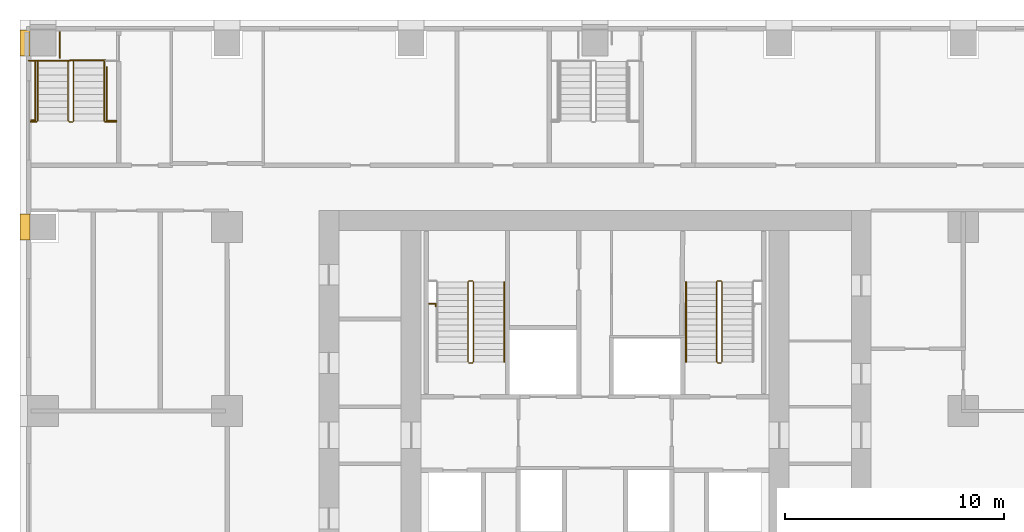
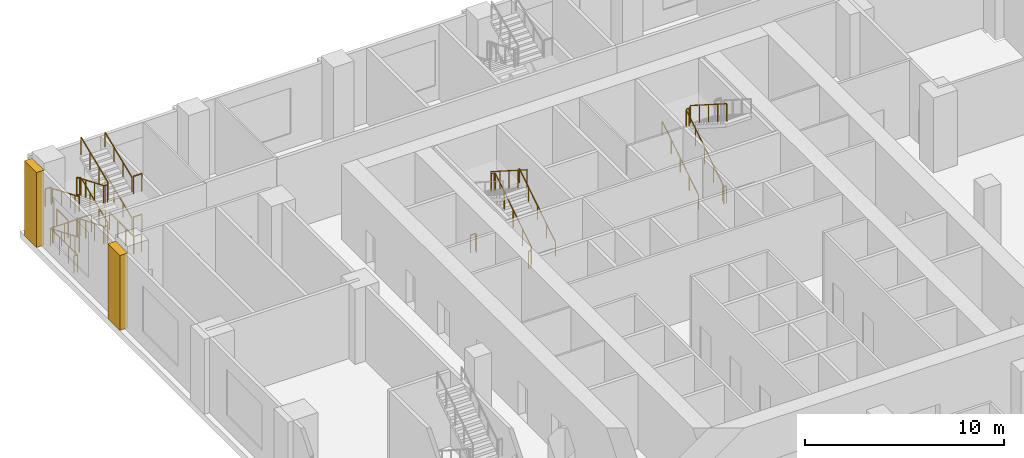
# One storey, part 19 of 23: 18 railings, 2 coverings.
"""IFC4 building model written with IfcOpenShell, lengths in metres."""

from ifc_helpers import new_model, si_unit, direction, frame, origin, origin_2d, place, context, subcontext, project, spatial, polyline, rectangle, outline, extrude, material, type_object, element, save


model = new_model("IFC4")

# Units and contexts
model_context = context("Model", 3, precision=1e-05, world=origin(), true_north=direction((0.0, 1.0)))
body_context = subcontext(model_context, "Body", "Model", "MODEL_VIEW")
ifc_project = project(units=[si_unit("LENGTHUNIT", "METRE"), si_unit("AREAUNIT", "SQUARE_METRE"), si_unit("VOLUMEUNIT", "CUBIC_METRE"), si_unit("PLANEANGLEUNIT", "RADIAN"), si_unit("MASSUNIT", "GRAM", prefix="KILO")], contexts=[model_context])

# Site, building, storey
site_placement = place(None, origin())
site = spatial("IfcSite", under=ifc_project, at=site_placement, CompositionType="ELEMENT")
building_placement = place(site_placement, origin())
building = spatial("IfcBuilding", under=site, at=building_placement, Name="Vermilion Ogive Tower", CompositionType="ELEMENT")
storey_placement = place(building_placement, frame((0.0, 0.0, 20.0)))
storey = spatial("IfcBuildingStorey", under=building, at=storey_placement, Name="L03", CompositionType="ELEMENT", Elevation=20.0)

# Railings
ifc_material_1 = material(Name="Steel S355 painted", Category="steel")
railing_type_1 = type_object("IfcRailingType", Name="Stair guard 1100", PredefinedType="GUARDRAIL", material=ifc_material_1)
railing_1_placement = place(storey_placement, frame((-5.75, 14.800048828125, 0.0)))
element("IfcRailing", 1, at=railing_1_placement, inside=storey, type_object=railing_type_1, Name="L03 ST1 stair guard 4", PredefinedType="GUARDRAIL", context=body_context, shape_type="SweptSolid", body=[
    extrude(rectangle(XDim=0.048095703125, YDim=0.048095703125, at=origin_2d()), frame((0.0, 0.0, 1.076171875), z_axis=(1.0, 0.0, 0.0), x_axis=(0.0, 1.0, 0.0)), (0.0, 0.0, 1.0), 0.14990234375),
    extrude(rectangle(XDim=0.048095703125, YDim=0.048095703125, at=origin_2d()), frame((0.14990234375, 0.0, 1.076171875), z_axis=(0.260684529273, 0.260684529273, 0.929562882432), x_axis=(-0.707106781187, 0.707106781187, 0.0)), (0.0, 0.0, 1.0), 0.19189453125),
    extrude(rectangle(XDim=0.048095703125, YDim=0.048095703125, at=origin_2d()), frame((0.199951171875, 0.050048828125, 1.25439453125), z_axis=(0.0, 0.843111507901, 0.53773877045), x_axis=(-1.0, 0.0, 0.0)), (0.0, 0.0, 1.0), 4.317138671875),
    extrude(rectangle(XDim=0.048095703125, YDim=0.048095703125, at=origin_2d()), frame((0.199951171875, 3.68994140625, 3.576171875), z_axis=(-0.707106781187, 0.707106781187, 0.0), x_axis=(-0.707106781187, -0.707106781187, 0.0)), (0.0, 0.0, 1.0), 0.07080078125),
    extrude(rectangle(XDim=0.048095703125, YDim=0.048095703125, at=origin_2d()), frame((0.14990234375, 3.739990234375, 3.576171875), z_axis=(-1.0, 0.0, 0.0), x_axis=(0.0, -1.0, 0.0)), (0.0, 0.0, 1.0), 0.14990234375),
    extrude(rectangle(XDim=0.048095703125, YDim=0.048095703125, at=origin_2d()), frame((0.0, 3.739990234375, 3.576171875), z_axis=(-0.260684529273, -0.260684529273, 0.929562882432), x_axis=(0.707106781187, -0.707106781187, 0.0)), (0.0, 0.0, 1.0), 0.19189453125),
    extrude(rectangle(XDim=0.048095703125, YDim=0.048095703125, at=origin_2d()), frame((-0.050048828125, 3.68994140625, 3.75439453125), z_axis=(0.0, -0.843111507901, 0.53773877045), x_axis=(1.0, 0.0, 0.0)), (0.0, 0.0, 1.0), 4.317138671875),
    extrude(rectangle(XDim=0.0419921875, YDim=0.0419921875, at=origin_2d()), origin(), (0.0, 0.0, 1.0), 1.052001953125),
    extrude(rectangle(XDim=0.0419921875, YDim=0.0419921875, at=origin_2d()), frame((0.14990234375, 0.0, 0.0)), (0.0, 0.0, 1.0), 1.052001953125),
    extrude(rectangle(XDim=0.0419921875, YDim=0.0419921875, at=origin_2d()), frame((0.199951171875, 0.050048828125, 0.178466796875)), (0.0, 0.0, 1.0), 1.052001953125),
    extrude(rectangle(XDim=0.0419921875, YDim=0.0419921875, at=origin_2d()), frame((0.199951171875, 0.9599609375, 0.7587890625)), (0.0, 0.0, 1.0), 1.052001953125),
    extrude(rectangle(XDim=0.0419921875, YDim=0.0419921875, at=origin_2d()), frame((0.199951171875, 1.8701171875, 1.33935546875)), (0.0, 0.0, 1.0), 1.052001953125),
    extrude(rectangle(XDim=0.0419921875, YDim=0.0419921875, at=origin_2d()), frame((0.199951171875, 2.780029296875, 1.919677734375)), (0.0, 0.0, 1.0), 1.052001953125),
    extrude(rectangle(XDim=0.0419921875, YDim=0.0419921875, at=origin_2d()), frame((0.199951171875, 3.68994140625, 2.5)), (0.0, 0.0, 1.0), 1.052001953125),
    extrude(rectangle(XDim=0.0419921875, YDim=0.0419921875, at=origin_2d()), frame((0.14990234375, 3.739990234375, 2.5)), (0.0, 0.0, 1.0), 1.052001953125),
    extrude(rectangle(XDim=0.0419921875, YDim=0.0419921875, at=origin_2d()), frame((0.0, 3.739990234375, 2.5)), (0.0, 0.0, 1.0), 1.052001953125),
    extrude(rectangle(XDim=0.0419921875, YDim=0.0419921875, at=origin_2d()), frame((-0.050048828125, 3.68994140625, 2.678466796875)), (0.0, 0.0, 1.0), 1.052001953125),
    extrude(rectangle(XDim=0.0419921875, YDim=0.0419921875, at=origin_2d()), frame((-0.050048828125, 2.780029296875, 3.2587890625)), (0.0, 0.0, 1.0), 1.052001953125),
    extrude(rectangle(XDim=0.0419921875, YDim=0.0419921875, at=origin_2d()), frame((-0.050048828125, 1.8701171875, 3.83935546875)), (0.0, 0.0, 1.0), 1.052001953125),
    extrude(rectangle(XDim=0.0419921875, YDim=0.0419921875, at=origin_2d()), frame((-0.050048828125, 0.9599609375, 4.419677734375)), (0.0, 0.0, 1.0), 1.052001953125),
    extrude(rectangle(XDim=0.0419921875, YDim=0.0419921875, at=origin_2d()), frame((-0.050048828125, 0.050048828125, 5.0)), (0.0, 0.0, 1.0), 1.052001953125),
])
railing_2_placement = place(storey_placement, frame((5.75, 14.800048828125, 0.0)))
element("IfcRailing", 2, at=railing_2_placement, inside=storey, type_object=railing_type_1, Name="L03 ST2 stair guard 4", PredefinedType="GUARDRAIL", context=body_context, shape_type="SweptSolid", body=[
    extrude(rectangle(XDim=0.048095703125, YDim=0.048095703125, at=origin_2d()), frame((0.0, 0.0, 1.076171875), z_axis=(-1.0, 0.0, 0.0), x_axis=(0.0, -1.0, 0.0)), (0.0, 0.0, 1.0), 0.14990234375),
    extrude(rectangle(XDim=0.048095703125, YDim=0.048095703125, at=origin_2d()), frame((-0.14990234375, 0.0, 1.076171875), z_axis=(-0.260684529273, 0.260684529273, 0.929562882432), x_axis=(-0.707106781187, -0.707106781187, 0.0)), (0.0, 0.0, 1.0), 0.19189453125),
    extrude(rectangle(XDim=0.048095703125, YDim=0.048095703125, at=origin_2d()), frame((-0.199951171875, 0.050048828125, 1.25439453125), z_axis=(0.0, 0.843111507901, 0.53773877045), x_axis=(-1.0, 0.0, 0.0)), (0.0, 0.0, 1.0), 4.317138671875),
    extrude(rectangle(XDim=0.048095703125, YDim=0.048095703125, at=origin_2d()), frame((-0.199951171875, 3.68994140625, 3.576171875), z_axis=(0.707106781187, 0.707106781187, 0.0), x_axis=(-0.707106781187, 0.707106781187, 0.0)), (0.0, 0.0, 1.0), 0.07080078125),
    extrude(rectangle(XDim=0.048095703125, YDim=0.048095703125, at=origin_2d()), frame((-0.14990234375, 3.739990234375, 3.576171875), z_axis=(1.0, 0.0, 0.0), x_axis=(0.0, 1.0, 0.0)), (0.0, 0.0, 1.0), 0.14990234375),
    extrude(rectangle(XDim=0.048095703125, YDim=0.048095703125, at=origin_2d()), frame((0.0, 3.739990234375, 3.576171875), z_axis=(0.260684529273, -0.260684529273, 0.929562882432), x_axis=(0.707106781187, 0.707106781187, 0.0)), (0.0, 0.0, 1.0), 0.19189453125),
    extrude(rectangle(XDim=0.048095703125, YDim=0.048095703125, at=origin_2d()), frame((0.050048828125, 3.68994140625, 3.75439453125), z_axis=(0.0, -0.843111507901, 0.53773877045), x_axis=(1.0, 0.0, 0.0)), (0.0, 0.0, 1.0), 4.317138671875),
    extrude(rectangle(XDim=0.0419921875, YDim=0.0419921875, at=origin_2d()), origin(), (0.0, 0.0, 1.0), 1.052001953125),
    extrude(rectangle(XDim=0.0419921875, YDim=0.0419921875, at=origin_2d()), frame((-0.14990234375, 0.0, 0.0)), (0.0, 0.0, 1.0), 1.052001953125),
    extrude(rectangle(XDim=0.0419921875, YDim=0.0419921875, at=origin_2d()), frame((-0.199951171875, 0.050048828125, 0.178466796875)), (0.0, 0.0, 1.0), 1.052001953125),
    extrude(rectangle(XDim=0.0419921875, YDim=0.0419921875, at=origin_2d()), frame((-0.199951171875, 0.9599609375, 0.7587890625)), (0.0, 0.0, 1.0), 1.052001953125),
    extrude(rectangle(XDim=0.0419921875, YDim=0.0419921875, at=origin_2d()), frame((-0.199951171875, 1.8701171875, 1.33935546875)), (0.0, 0.0, 1.0), 1.052001953125),
    extrude(rectangle(XDim=0.0419921875, YDim=0.0419921875, at=origin_2d()), frame((-0.199951171875, 2.780029296875, 1.919677734375)), (0.0, 0.0, 1.0), 1.052001953125),
    extrude(rectangle(XDim=0.0419921875, YDim=0.0419921875, at=origin_2d()), frame((-0.199951171875, 3.68994140625, 2.5)), (0.0, 0.0, 1.0), 1.052001953125),
    extrude(rectangle(XDim=0.0419921875, YDim=0.0419921875, at=origin_2d()), frame((-0.14990234375, 3.739990234375, 2.5)), (0.0, 0.0, 1.0), 1.052001953125),
    extrude(rectangle(XDim=0.0419921875, YDim=0.0419921875, at=origin_2d()), frame((0.0, 3.739990234375, 2.5)), (0.0, 0.0, 1.0), 1.052001953125),
    extrude(rectangle(XDim=0.0419921875, YDim=0.0419921875, at=origin_2d()), frame((0.050048828125, 3.68994140625, 2.678466796875)), (0.0, 0.0, 1.0), 1.052001953125),
    extrude(rectangle(XDim=0.0419921875, YDim=0.0419921875, at=origin_2d()), frame((0.050048828125, 2.780029296875, 3.2587890625)), (0.0, 0.0, 1.0), 1.052001953125),
    extrude(rectangle(XDim=0.0419921875, YDim=0.0419921875, at=origin_2d()), frame((0.050048828125, 1.8701171875, 3.83935546875)), (0.0, 0.0, 1.0), 1.052001953125),
    extrude(rectangle(XDim=0.0419921875, YDim=0.0419921875, at=origin_2d()), frame((0.050048828125, 0.9599609375, 4.419677734375)), (0.0, 0.0, 1.0), 1.052001953125),
    extrude(rectangle(XDim=0.0419921875, YDim=0.0419921875, at=origin_2d()), frame((0.050048828125, 0.050048828125, 5.0)), (0.0, 0.0, 1.0), 1.052001953125),
])
railing_3_placement = place(storey_placement, frame((-23.85009765625, 28.60009765625, 0.0)))
element("IfcRailing", 3, at=railing_3_placement, inside=storey, type_object=railing_type_1, Name="L03 PS1 stair guard 8", PredefinedType="GUARDRAIL", context=body_context, shape_type="SweptSolid", body=[
    extrude(rectangle(XDim=0.048095703125, YDim=0.048095703125, at=origin_2d()), frame((0.0, 0.0, 1.076171875), z_axis=(-1.0, 0.0, 0.0), x_axis=(0.0, -1.0, 0.0)), (0.0, 0.0, 1.0), 0.14990234375),
    extrude(rectangle(XDim=0.048095703125, YDim=0.048095703125, at=origin_2d()), frame((-0.14990234375, 0.0, 1.076171875), z_axis=(-0.34841279274, -0.34841279274, 0.870182194549), x_axis=(0.707106781187, -0.707106781187, 0.0)), (0.0, 0.0, 1.0), 0.1435546875),
    extrude(rectangle(XDim=0.048095703125, YDim=0.048095703125, at=origin_2d()), frame((-0.199951171875, -0.050048828125, 1.201171875), z_axis=(0.0, -0.923074453586, 0.384621311341), x_axis=(1.0, 0.0, 0.0)), (0.0, 0.0, 1.0), 2.925048828125),
    extrude(rectangle(XDim=0.048095703125, YDim=0.048095703125, at=origin_2d()), frame((-0.199951171875, -2.75, 2.326171875), z_axis=(0.707106781187, -0.707106781187, 0.0), x_axis=(0.707106781187, 0.707106781187, 0.0)), (0.0, 0.0, 1.0), 0.07080078125),
    extrude(rectangle(XDim=0.048095703125, YDim=0.048095703125, at=origin_2d()), frame((-0.14990234375, -2.800048828125, 2.326171875), z_axis=(1.0, 0.0, 0.0), x_axis=(0.0, 1.0, 0.0)), (0.0, 0.0, 1.0), 0.14990234375),
    extrude(rectangle(XDim=0.048095703125, YDim=0.048095703125, at=origin_2d()), frame((0.0, -2.800048828125, 2.326171875), z_axis=(0.34841279274, 0.34841279274, 0.870182194549), x_axis=(-0.707106781187, 0.707106781187, 0.0)), (0.0, 0.0, 1.0), 0.1435546875),
    extrude(rectangle(XDim=0.048095703125, YDim=0.048095703125, at=origin_2d()), frame((0.050048828125, -2.75, 2.451171875), z_axis=(0.0, 0.923074453586, 0.384621311341), x_axis=(-1.0, 0.0, 0.0)), (0.0, 0.0, 1.0), 2.925048828125),
    extrude(rectangle(XDim=0.048095703125, YDim=0.048095703125, at=origin_2d()), frame((0.050048828125, -0.050048828125, 3.576171875), z_axis=(-0.707106781187, 0.707106781187, 0.0), x_axis=(-0.707106781187, -0.707106781187, 0.0)), (0.0, 0.0, 1.0), 0.07080078125),
    extrude(rectangle(XDim=0.048095703125, YDim=0.048095703125, at=origin_2d()), frame((0.0, 0.0, 3.576171875), z_axis=(-1.0, 0.0, 0.0), x_axis=(0.0, -1.0, 0.0)), (0.0, 0.0, 1.0), 0.14990234375),
    extrude(rectangle(XDim=0.048095703125, YDim=0.048095703125, at=origin_2d()), frame((-0.14990234375, 0.0, 3.576171875), z_axis=(-0.34841279274, -0.34841279274, 0.870182194549), x_axis=(0.707106781187, -0.707106781187, 0.0)), (0.0, 0.0, 1.0), 0.1435546875),
    extrude(rectangle(XDim=0.048095703125, YDim=0.048095703125, at=origin_2d()), frame((-0.199951171875, -0.050048828125, 3.701171875), z_axis=(0.0, -0.923074453586, 0.384621311341), x_axis=(1.0, 0.0, 0.0)), (0.0, 0.0, 1.0), 2.925048828125),
    extrude(rectangle(XDim=0.048095703125, YDim=0.048095703125, at=origin_2d()), frame((-0.199951171875, -2.75, 4.826171875), z_axis=(0.707106781187, -0.707106781187, 0.0), x_axis=(0.707106781187, 0.707106781187, 0.0)), (0.0, 0.0, 1.0), 0.07080078125),
    extrude(rectangle(XDim=0.048095703125, YDim=0.048095703125, at=origin_2d()), frame((-0.14990234375, -2.800048828125, 4.826171875), z_axis=(1.0, 0.0, 0.0), x_axis=(0.0, 1.0, 0.0)), (0.0, 0.0, 1.0), 0.14990234375),
    extrude(rectangle(XDim=0.048095703125, YDim=0.048095703125, at=origin_2d()), frame((0.0, -2.800048828125, 4.826171875), z_axis=(0.34841279274, 0.34841279274, 0.870182194549), x_axis=(-0.707106781187, 0.707106781187, 0.0)), (0.0, 0.0, 1.0), 0.1435546875),
    extrude(rectangle(XDim=0.048095703125, YDim=0.048095703125, at=origin_2d()), frame((0.050048828125, -2.75, 4.951171875), z_axis=(0.0, 0.923074453586, 0.384621311341), x_axis=(-1.0, 0.0, 0.0)), (0.0, 0.0, 1.0), 2.925048828125),
    extrude(rectangle(XDim=0.0419921875, YDim=0.0419921875, at=origin_2d()), origin(), (0.0, 0.0, 1.0), 1.052001953125),
    extrude(rectangle(XDim=0.0419921875, YDim=0.0419921875, at=origin_2d()), frame((-0.14990234375, 0.0, 0.0)), (0.0, 0.0, 1.0), 1.052001953125),
    extrude(rectangle(XDim=0.0419921875, YDim=0.0419921875, at=origin_2d()), frame((-0.199951171875, -0.050048828125, 0.125)), (0.0, 0.0, 1.0), 1.052001953125),
    extrude(rectangle(XDim=0.0419921875, YDim=0.0419921875, at=origin_2d()), frame((-0.199951171875, -0.949951171875, 0.5)), (0.0, 0.0, 1.0), 1.052001953125),
    extrude(rectangle(XDim=0.0419921875, YDim=0.0419921875, at=origin_2d()), frame((-0.199951171875, -1.85009765625, 0.875)), (0.0, 0.0, 1.0), 1.052001953125),
    extrude(rectangle(XDim=0.0419921875, YDim=0.0419921875, at=origin_2d()), frame((-0.199951171875, -2.75, 1.25)), (0.0, 0.0, 1.0), 1.052001953125),
    extrude(rectangle(XDim=0.0419921875, YDim=0.0419921875, at=origin_2d()), frame((-0.14990234375, -2.800048828125, 1.25)), (0.0, 0.0, 1.0), 1.052001953125),
    extrude(rectangle(XDim=0.0419921875, YDim=0.0419921875, at=origin_2d()), frame((0.0, -2.800048828125, 1.25)), (0.0, 0.0, 1.0), 1.052001953125),
    extrude(rectangle(XDim=0.0419921875, YDim=0.0419921875, at=origin_2d()), frame((0.050048828125, -2.75, 1.375)), (0.0, 0.0, 1.0), 1.052001953125),
    extrude(rectangle(XDim=0.0419921875, YDim=0.0419921875, at=origin_2d()), frame((0.050048828125, -1.85009765625, 1.75)), (0.0, 0.0, 1.0), 1.052001953125),
    extrude(rectangle(XDim=0.0419921875, YDim=0.0419921875, at=origin_2d()), frame((0.050048828125, -0.949951171875, 2.125)), (0.0, 0.0, 1.0), 1.052001953125),
    extrude(rectangle(XDim=0.0419921875, YDim=0.0419921875, at=origin_2d()), frame((0.050048828125, -0.050048828125, 2.5)), (0.0, 0.0, 1.0), 1.052001953125),
    extrude(rectangle(XDim=0.0419921875, YDim=0.0419921875, at=origin_2d()), frame((0.0, 0.0, 2.5)), (0.0, 0.0, 1.0), 1.052001953125),
    extrude(rectangle(XDim=0.0419921875, YDim=0.0419921875, at=origin_2d()), frame((-0.14990234375, 0.0, 2.5)), (0.0, 0.0, 1.0), 1.052001953125),
    extrude(rectangle(XDim=0.0419921875, YDim=0.0419921875, at=origin_2d()), frame((-0.199951171875, -0.050048828125, 2.625)), (0.0, 0.0, 1.0), 1.052001953125),
    extrude(rectangle(XDim=0.0419921875, YDim=0.0419921875, at=origin_2d()), frame((-0.199951171875, -0.949951171875, 3.0)), (0.0, 0.0, 1.0), 1.052001953125),
    extrude(rectangle(XDim=0.0419921875, YDim=0.0419921875, at=origin_2d()), frame((-0.199951171875, -1.85009765625, 3.375)), (0.0, 0.0, 1.0), 1.052001953125),
    extrude(rectangle(XDim=0.0419921875, YDim=0.0419921875, at=origin_2d()), frame((-0.199951171875, -2.75, 3.75)), (0.0, 0.0, 1.0), 1.052001953125),
    extrude(rectangle(XDim=0.0419921875, YDim=0.0419921875, at=origin_2d()), frame((-0.14990234375, -2.800048828125, 3.75)), (0.0, 0.0, 1.0), 1.052001953125),
    extrude(rectangle(XDim=0.0419921875, YDim=0.0419921875, at=origin_2d()), frame((0.0, -2.800048828125, 3.75)), (0.0, 0.0, 1.0), 1.052001953125),
    extrude(rectangle(XDim=0.0419921875, YDim=0.0419921875, at=origin_2d()), frame((0.050048828125, -2.75, 3.875)), (0.0, 0.0, 1.0), 1.052001953125),
    extrude(rectangle(XDim=0.0419921875, YDim=0.0419921875, at=origin_2d()), frame((0.050048828125, -1.85009765625, 4.25)), (0.0, 0.0, 1.0), 1.052001953125),
    extrude(rectangle(XDim=0.0419921875, YDim=0.0419921875, at=origin_2d()), frame((0.050048828125, -0.949951171875, 4.625)), (0.0, 0.0, 1.0), 1.052001953125),
    extrude(rectangle(XDim=0.0419921875, YDim=0.0419921875, at=origin_2d()), frame((0.050048828125, -0.050048828125, 5.0)), (0.0, 0.0, 1.0), 1.052001953125),
])
railing_4_placement = place(storey_placement, frame((-25.75, 25.800048828125, 1.25)))
element("IfcRailing", 4, at=railing_4_placement, inside=storey, type_object=railing_type_1, Name="L03 landing guard", PredefinedType="GUARDRAIL", context=body_context, shape_type="SweptSolid", body=[
    extrude(rectangle(XDim=0.048095703125, YDim=0.048095703125, at=origin_2d()), frame((0.0, 0.0, 1.076171875), z_axis=(1.0, 0.0, 0.0), x_axis=(0.0, 1.0, 0.0)), (0.0, 0.0, 1.0), 0.25),
    extrude(rectangle(XDim=0.0419921875, YDim=0.0419921875, at=origin_2d()), origin(), (0.0, 0.0, 1.0), 1.052001953125),
    extrude(rectangle(XDim=0.0419921875, YDim=0.0419921875, at=origin_2d()), frame((0.25, 0.0, 0.0)), (0.0, 0.0, 1.0), 1.052001953125),
])
railing_5_placement = place(storey_placement, frame((-22.35009765625, 25.800048828125, 1.25)))
element("IfcRailing", 5, at=railing_5_placement, inside=storey, type_object=railing_type_1, Name="L03 landing guard", PredefinedType="GUARDRAIL", context=body_context, shape_type="SweptSolid", body=[
    extrude(rectangle(XDim=0.048095703125, YDim=0.048095703125, at=origin_2d()), frame((0.0, 0.0, 1.076171875), z_axis=(1.0, 0.0, 0.0), x_axis=(0.0, 1.0, 0.0)), (0.0, 0.0, 1.0), 0.5),
    extrude(rectangle(XDim=0.0419921875, YDim=0.0419921875, at=origin_2d()), origin(), (0.0, 0.0, 1.0), 1.052001953125),
    extrude(rectangle(XDim=0.0419921875, YDim=0.0419921875, at=origin_2d()), frame((0.5, 0.0, 0.0)), (0.0, 0.0, 1.0), 1.052001953125),
])
railing_6_placement = place(storey_placement, frame((-25.85009765625, 28.60009765625, 2.5)))
element("IfcRailing", 6, at=railing_6_placement, inside=storey, type_object=railing_type_1, Name="L03 landing guard", PredefinedType="GUARDRAIL", context=body_context, shape_type="SweptSolid", body=[
    extrude(rectangle(XDim=0.048095703125, YDim=0.048095703125, at=origin_2d()), frame((0.0, 0.0, 1.076171875), z_axis=(1.0, 0.0, 0.0), x_axis=(0.0, 1.0, 0.0)), (0.0, 0.0, 1.0), 0.35009765625),
    extrude(rectangle(XDim=0.0419921875, YDim=0.0419921875, at=origin_2d()), origin(), (0.0, 0.0, 1.0), 1.052001953125),
    extrude(rectangle(XDim=0.0419921875, YDim=0.0419921875, at=origin_2d()), frame((0.35009765625, 0.0, 0.0)), (0.0, 0.0, 1.0), 1.052001953125),
])
railing_7_placement = place(storey_placement, frame((-25.75, 25.800048828125, 3.75)))
element("IfcRailing", 7, at=railing_7_placement, inside=storey, type_object=railing_type_1, Name="L03 landing guard", PredefinedType="GUARDRAIL", context=body_context, shape_type="SweptSolid", body=[
    extrude(rectangle(XDim=0.048095703125, YDim=0.048095703125, at=origin_2d()), frame((0.0, 0.0, 1.076171875), z_axis=(1.0, 0.0, 0.0), x_axis=(0.0, 1.0, 0.0)), (0.0, 0.0, 1.0), 0.25),
    extrude(rectangle(XDim=0.0419921875, YDim=0.0419921875, at=origin_2d()), origin(), (0.0, 0.0, 1.0), 1.052001953125),
    extrude(rectangle(XDim=0.0419921875, YDim=0.0419921875, at=origin_2d()), frame((0.25, 0.0, 0.0)), (0.0, 0.0, 1.0), 1.052001953125),
])
railing_8_placement = place(storey_placement, frame((-22.35009765625, 25.800048828125, 3.75)))
element("IfcRailing", 8, at=railing_8_placement, inside=storey, type_object=railing_type_1, Name="L03 landing guard", PredefinedType="GUARDRAIL", context=body_context, shape_type="SweptSolid", body=[
    extrude(rectangle(XDim=0.048095703125, YDim=0.048095703125, at=origin_2d()), frame((0.0, 0.0, 1.076171875), z_axis=(1.0, 0.0, 0.0), x_axis=(0.0, 1.0, 0.0)), (0.0, 0.0, 1.0), 0.5),
    extrude(rectangle(XDim=0.0419921875, YDim=0.0419921875, at=origin_2d()), origin(), (0.0, 0.0, 1.0), 1.052001953125),
    extrude(rectangle(XDim=0.0419921875, YDim=0.0419921875, at=origin_2d()), frame((0.5, 0.0, 0.0)), (0.0, 0.0, 1.0), 1.052001953125),
])
railing_9_placement = place(storey_placement, frame((-22.291015625, 28.284912109375, 0.0)))
element("IfcRailing", 9, at=railing_9_placement, inside=storey, type_object=railing_type_1, Name="L03 stair opening guard", PredefinedType="GUARDRAIL", context=body_context, shape_type="SweptSolid", body=[
    extrude(rectangle(XDim=0.048095703125, YDim=0.048095703125, at=origin_2d()), frame((0.0, 0.0, 1.076171875), z_axis=(0.0, -1.0, 0.0), x_axis=(1.0, 0.0, 0.0)), (0.0, 0.0, 1.0), 2.42431640625),
    extrude(rectangle(XDim=0.048095703125, YDim=0.048095703125, at=origin_2d()), frame((0.0, -2.42431640625, 1.076171875), z_axis=(1.0, 0.0, 0.0), x_axis=(0.0, 1.0, 0.0)), (0.0, 0.0, 1.0), 0.43994140625),
    extrude(rectangle(XDim=0.0419921875, YDim=0.0419921875, at=origin_2d()), origin(), (0.0, 0.0, 1.0), 1.052001953125),
    extrude(rectangle(XDim=0.0419921875, YDim=0.0419921875, at=origin_2d()), frame((0.0, -0.80810546875, 0.0)), (0.0, 0.0, 1.0), 1.052001953125),
    extrude(rectangle(XDim=0.0419921875, YDim=0.0419921875, at=origin_2d()), frame((0.0, -1.6162109375, 0.0)), (0.0, 0.0, 1.0), 1.052001953125),
    extrude(rectangle(XDim=0.0419921875, YDim=0.0419921875, at=origin_2d()), frame((0.0, -2.42431640625, 0.0)), (0.0, 0.0, 1.0), 1.052001953125),
    extrude(rectangle(XDim=0.0419921875, YDim=0.0419921875, at=origin_2d()), frame((0.43994140625, -2.42431640625, 0.0)), (0.0, 0.0, 1.0), 1.052001953125),
])
railing_10_placement = place(storey_placement, frame((-25.739990234375, 25.88330078125, 0.0)))
element("IfcRailing", 10, at=railing_10_placement, inside=storey, type_object=railing_type_1, Name="L03 stair opening guard", PredefinedType="GUARDRAIL", context=body_context, shape_type="SweptSolid", body=[
    extrude(rectangle(XDim=0.048095703125, YDim=0.048095703125, at=origin_2d()), frame((0.0, 0.0, 1.076171875), z_axis=(1.0, 0.0, 0.0), x_axis=(0.0, 1.0, 0.0)), (0.0, 0.0, 1.0), 0.18994140625),
    extrude(rectangle(XDim=0.048095703125, YDim=0.048095703125, at=origin_2d()), frame((0.18994140625, 0.0, 1.076171875), z_axis=(0.0, 1.0, 0.0), x_axis=(-1.0, 0.0, 0.0)), (0.0, 0.0, 1.0), 2.699951171875),
    extrude(rectangle(XDim=0.048095703125, YDim=0.048095703125, at=origin_2d()), frame((0.18994140625, 2.699951171875, 1.076171875), z_axis=(1.0, 0.0, 0.0), x_axis=(0.0, 1.0, 0.0)), (0.0, 0.0, 1.0), 1.60009765625),
    extrude(rectangle(XDim=0.048095703125, YDim=0.048095703125, at=origin_2d()), frame((1.7900390625, 2.699951171875, 1.076171875), z_axis=(0.0, 1.0, 0.0), x_axis=(-1.0, 0.0, 0.0)), (0.0, 0.0, 1.0), 0.02685546875),
    extrude(rectangle(XDim=0.048095703125, YDim=0.048095703125, at=origin_2d()), frame((1.7900390625, 2.726806640625, 1.076171875), z_axis=(1.0, 0.0, 0.0), x_axis=(0.0, 1.0, 0.0)), (0.0, 0.0, 1.0), 1.599853515625),
    extrude(rectangle(XDim=0.0419921875, YDim=0.0419921875, at=origin_2d()), origin(), (0.0, 0.0, 1.0), 1.052001953125),
    extrude(rectangle(XDim=0.0419921875, YDim=0.0419921875, at=origin_2d()), frame((0.18994140625, 0.0, 0.0)), (0.0, 0.0, 1.0), 1.052001953125),
    extrude(rectangle(XDim=0.0419921875, YDim=0.0419921875, at=origin_2d()), frame((0.18994140625, 0.89990234375, 0.0)), (0.0, 0.0, 1.0), 1.052001953125),
    extrude(rectangle(XDim=0.0419921875, YDim=0.0419921875, at=origin_2d()), frame((0.18994140625, 1.800048828125, 0.0)), (0.0, 0.0, 1.0), 1.052001953125),
    extrude(rectangle(XDim=0.0419921875, YDim=0.0419921875, at=origin_2d()), frame((0.18994140625, 2.699951171875, 0.0)), (0.0, 0.0, 1.0), 1.052001953125),
    extrude(rectangle(XDim=0.0419921875, YDim=0.0419921875, at=origin_2d()), frame((0.989990234375, 2.699951171875, 0.0)), (0.0, 0.0, 1.0), 1.052001953125),
    extrude(rectangle(XDim=0.0419921875, YDim=0.0419921875, at=origin_2d()), frame((1.7900390625, 2.699951171875, 0.0)), (0.0, 0.0, 1.0), 1.052001953125),
    extrude(rectangle(XDim=0.0419921875, YDim=0.0419921875, at=origin_2d()), frame((1.7900390625, 2.726806640625, 0.0)), (0.0, 0.0, 1.0), 1.052001953125),
    extrude(rectangle(XDim=0.0419921875, YDim=0.0419921875, at=origin_2d()), frame((2.58984375, 2.726806640625, 0.0)), (0.0, 0.0, 1.0), 1.052001953125),
    extrude(rectangle(XDim=0.0419921875, YDim=0.0419921875, at=origin_2d()), frame((3.389892578125, 2.726806640625, 0.0)), (0.0, 0.0, 1.0), 1.052001953125),
])
railing_11_placement = place(storey_placement, frame((-7.56298828125, 17.49462890625, 0.0)))
element("IfcRailing", 11, at=railing_11_placement, inside=storey, type_object=railing_type_1, Name="L03 stair opening guard", PredefinedType="GUARDRAIL", context=body_context, shape_type="SweptSolid", body=[
    extrude(rectangle(XDim=0.048095703125, YDim=0.048095703125, at=origin_2d()), frame((0.0, 0.0, 1.076171875), z_axis=(1.0, 0.0, 0.0), x_axis=(0.0, 1.0, 0.0)), (0.0, 0.0, 1.0), 0.2900390625),
    extrude(rectangle(XDim=0.048095703125, YDim=0.048095703125, at=origin_2d()), frame((0.2900390625, 0.0, 1.076171875), z_axis=(0.0, -1.0, 0.0), x_axis=(1.0, 0.0, 0.0)), (0.0, 0.0, 1.0), 0.1201171875),
    extrude(rectangle(XDim=0.0419921875, YDim=0.0419921875, at=origin_2d()), origin(), (0.0, 0.0, 1.0), 1.052001953125),
    extrude(rectangle(XDim=0.0419921875, YDim=0.0419921875, at=origin_2d()), frame((0.2900390625, 0.0, 0.0)), (0.0, 0.0, 1.0), 1.052001953125),
    extrude(rectangle(XDim=0.0419921875, YDim=0.0419921875, at=origin_2d()), frame((0.2900390625, -0.1201171875, 0.0)), (0.0, 0.0, 1.0), 1.052001953125),
])
railing_12_placement = place(storey_placement, frame((-24.43994140625, 28.733154296875, 0.0)))
element("IfcRailing", 12, at=railing_12_placement, inside=storey, type_object=railing_type_1, Name="L03 stair opening guard", PredefinedType="GUARDRAIL", context=body_context, shape_type="SweptSolid", body=[
    extrude(rectangle(XDim=0.048095703125, YDim=0.048095703125, at=origin_2d()), frame((0.0, 0.0, 1.076171875), z_axis=(0.0, 1.0, 0.0), x_axis=(-1.0, 0.0, 0.0)), (0.0, 0.0, 1.0), 1.15673828125),
    extrude(rectangle(XDim=0.0419921875, YDim=0.0419921875, at=origin_2d()), origin(), (0.0, 0.0, 1.0), 1.052001953125),
    extrude(rectangle(XDim=0.0419921875, YDim=0.0419921875, at=origin_2d()), frame((0.0, 1.15673828125, 0.0)), (0.0, 0.0, 1.0), 1.052001953125),
])
ifc_material_2 = material(Name="Stainless steel", Category="steel")
railing_type_2 = type_object("IfcRailingType", Name="Stair handrail 900", PredefinedType="HANDRAIL", material=ifc_material_2)
for number, where, name in (
    (13, (-4.14990234375, 14.85009765625, 0.178466796875), "L03 ST1 stair handrail 1"),
    (14, (4.14990234375, 14.85009765625, 0.178466796875), "L03 ST2 stair handrail 1"),
):
    element("IfcRailing", number, at=place(storey_placement, frame(where)), inside=storey, type_object=railing_type_2, Name=name, PredefinedType="HANDRAIL", context=body_context, shape_type="SweptSolid", body=[
        extrude(rectangle(XDim=0.048095703125, YDim=0.048095703125, at=origin_2d()), frame((0.0, 0.0, 0.8759765625), z_axis=(0.0, 0.843111507901, 0.53773877045), x_axis=(-1.0, 0.0, 0.0)), (0.0, 0.0, 1.0), 4.317138671875),
        extrude(rectangle(XDim=0.0419921875, YDim=0.0419921875, at=origin_2d()), origin(), (0.0, 0.0, 1.0), 0.851806640625),
        extrude(rectangle(XDim=0.0419921875, YDim=0.0419921875, at=origin_2d()), frame((0.0, 0.909912109375, 0.580322265625)), (0.0, 0.0, 1.0), 0.851806640625),
        extrude(rectangle(XDim=0.0419921875, YDim=0.0419921875, at=origin_2d()), frame((0.0, 1.81982421875, 1.16064453125)), (0.0, 0.0, 1.0), 0.851806640625),
        extrude(rectangle(XDim=0.0419921875, YDim=0.0419921875, at=origin_2d()), frame((0.0, 2.72998046875, 1.7412109375)), (0.0, 0.0, 1.0), 0.851806640625),
        extrude(rectangle(XDim=0.0419921875, YDim=0.0419921875, at=origin_2d()), frame((0.0, 3.639892578125, 2.321533203125)), (0.0, 0.0, 1.0), 0.851806640625),
    ])
railing_13_placement = place(storey_placement, frame((-25.449951171875, 28.550048828125, 0.125)))
element("IfcRailing", 15, at=railing_13_placement, inside=storey, type_object=railing_type_2, Name="L03 PS1 stair handrail 1", PredefinedType="HANDRAIL", context=body_context, shape_type="SweptSolid", body=[
    extrude(rectangle(XDim=0.048095703125, YDim=0.048095703125, at=origin_2d()), frame((0.0, 0.0, 0.8759765625), z_axis=(0.0, -0.923074453586, 0.384621311341), x_axis=(1.0, 0.0, 0.0)), (0.0, 0.0, 1.0), 2.925048828125),
    extrude(rectangle(XDim=0.0419921875, YDim=0.0419921875, at=origin_2d()), origin(), (0.0, 0.0, 1.0), 0.851806640625),
    extrude(rectangle(XDim=0.0419921875, YDim=0.0419921875, at=origin_2d()), frame((0.0, -0.89990234375, 0.375)), (0.0, 0.0, 1.0), 0.851806640625),
    extrude(rectangle(XDim=0.0419921875, YDim=0.0419921875, at=origin_2d()), frame((0.0, -1.800048828125, 0.75)), (0.0, 0.0, 1.0), 0.851806640625),
    extrude(rectangle(XDim=0.0419921875, YDim=0.0419921875, at=origin_2d()), frame((0.0, -2.699951171875, 1.125)), (0.0, 0.0, 1.0), 0.851806640625),
])
railing_14_placement = place(storey_placement, frame((-22.39990234375, 25.85009765625, 1.375)))
element("IfcRailing", 16, at=railing_14_placement, inside=storey, type_object=railing_type_2, Name="L03 PS1 stair handrail 2", PredefinedType="HANDRAIL", context=body_context, shape_type="SweptSolid", body=[
    extrude(rectangle(XDim=0.048095703125, YDim=0.048095703125, at=origin_2d()), frame((0.0, 0.0, 0.8759765625), z_axis=(0.0, 0.923074453586, 0.384621311341), x_axis=(-1.0, 0.0, 0.0)), (0.0, 0.0, 1.0), 2.925048828125),
    extrude(rectangle(XDim=0.0419921875, YDim=0.0419921875, at=origin_2d()), origin(), (0.0, 0.0, 1.0), 0.851806640625),
    extrude(rectangle(XDim=0.0419921875, YDim=0.0419921875, at=origin_2d()), frame((0.0, 0.89990234375, 0.375)), (0.0, 0.0, 1.0), 0.851806640625),
    extrude(rectangle(XDim=0.0419921875, YDim=0.0419921875, at=origin_2d()), frame((0.0, 1.800048828125, 0.75)), (0.0, 0.0, 1.0), 0.851806640625),
    extrude(rectangle(XDim=0.0419921875, YDim=0.0419921875, at=origin_2d()), frame((0.0, 2.699951171875, 1.125)), (0.0, 0.0, 1.0), 0.851806640625),
])
railing_15_placement = place(storey_placement, frame((-25.449951171875, 28.550048828125, 2.625)))
element("IfcRailing", 17, at=railing_15_placement, inside=storey, type_object=railing_type_2, Name="L03 PS1 stair handrail 3", PredefinedType="HANDRAIL", context=body_context, shape_type="SweptSolid", body=[
    extrude(rectangle(XDim=0.048095703125, YDim=0.048095703125, at=origin_2d()), frame((0.0, 0.0, 0.8759765625), z_axis=(0.0, -0.923074453586, 0.384621311341), x_axis=(1.0, 0.0, 0.0)), (0.0, 0.0, 1.0), 2.925048828125),
    extrude(rectangle(XDim=0.0419921875, YDim=0.0419921875, at=origin_2d()), origin(), (0.0, 0.0, 1.0), 0.851806640625),
    extrude(rectangle(XDim=0.0419921875, YDim=0.0419921875, at=origin_2d()), frame((0.0, -0.89990234375, 0.375)), (0.0, 0.0, 1.0), 0.851806640625),
    extrude(rectangle(XDim=0.0419921875, YDim=0.0419921875, at=origin_2d()), frame((0.0, -1.800048828125, 0.75)), (0.0, 0.0, 1.0), 0.851806640625),
    extrude(rectangle(XDim=0.0419921875, YDim=0.0419921875, at=origin_2d()), frame((0.0, -2.699951171875, 1.125)), (0.0, 0.0, 1.0), 0.851806640625),
])
railing_16_placement = place(storey_placement, frame((-22.39990234375, 25.85009765625, 3.875)))
element("IfcRailing", 18, at=railing_16_placement, inside=storey, type_object=railing_type_2, Name="L03 PS1 stair handrail 4", PredefinedType="HANDRAIL", context=body_context, shape_type="SweptSolid", body=[
    extrude(rectangle(XDim=0.048095703125, YDim=0.048095703125, at=origin_2d()), frame((0.0, 0.0, 0.8759765625), z_axis=(0.0, 0.923074453586, 0.384621311341), x_axis=(-1.0, 0.0, 0.0)), (0.0, 0.0, 1.0), 2.925048828125),
    extrude(rectangle(XDim=0.0419921875, YDim=0.0419921875, at=origin_2d()), origin(), (0.0, 0.0, 1.0), 0.851806640625),
    extrude(rectangle(XDim=0.0419921875, YDim=0.0419921875, at=origin_2d()), frame((0.0, 0.89990234375, 0.375)), (0.0, 0.0, 1.0), 0.851806640625),
    extrude(rectangle(XDim=0.0419921875, YDim=0.0419921875, at=origin_2d()), frame((0.0, 1.800048828125, 0.75)), (0.0, 0.0, 1.0), 0.851806640625),
    extrude(rectangle(XDim=0.0419921875, YDim=0.0419921875, at=origin_2d()), frame((0.0, 2.699951171875, 1.125)), (0.0, 0.0, 1.0), 0.851806640625),
])

# Coverings
ifc_material_3 = material(Name="Stone cladding", Category="masonry")
covering_type = type_object("IfcCoveringType", Name="Stone pier", PredefinedType="CLADDING", material=ifc_material_3)
covering_1_placement = place(storey_placement, origin())
element("IfcCovering", 19, at=covering_1_placement, inside=storey, type_object=covering_type, Name="Stone pier P-252+210", PredefinedType="CLADDING", context=body_context, shape_type="SweptSolid", body=[
    extrude(outline(polyline([(-26.25, 20.39990234375), (-26.25, 21.60009765625), (-25.800048828125, 21.60009765625), (-25.800048828125, 20.39990234375), (-26.25, 20.39990234375)])), origin(), (0.0, 0.0, 1.0), 4.60009765625),
])
covering_2_placement = place(storey_placement, origin())
element("IfcCovering", 20, at=covering_2_placement, inside=storey, type_object=covering_type, Name="Stone pier P-252+294W", PredefinedType="CLADDING", context=body_context, shape_type="SweptSolid", body=[
    extrude(outline(polyline([(-26.25, 30.0), (-25.800048828125, 30.0), (-25.800048828125, 28.800048828125), (-26.25, 28.800048828125), (-26.25, 30.0)])), origin(), (0.0, 0.0, 1.0), 4.60009765625),
])

save(model, "model.ifc")
